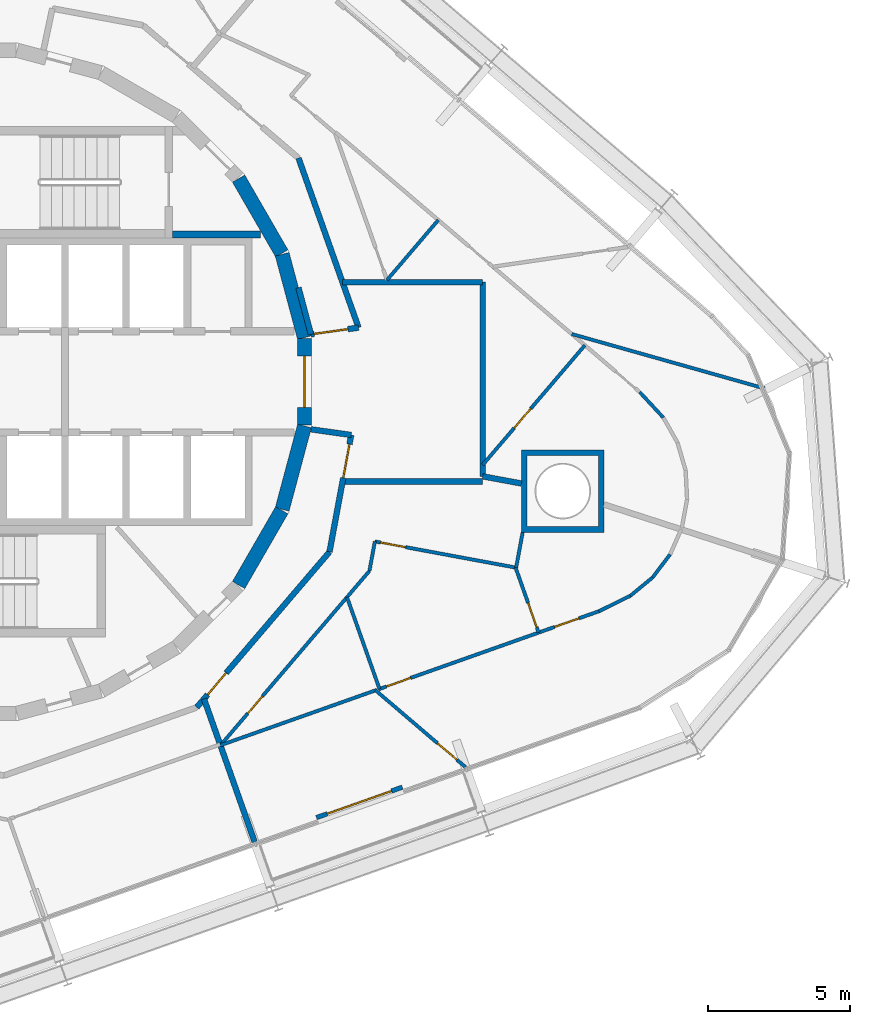
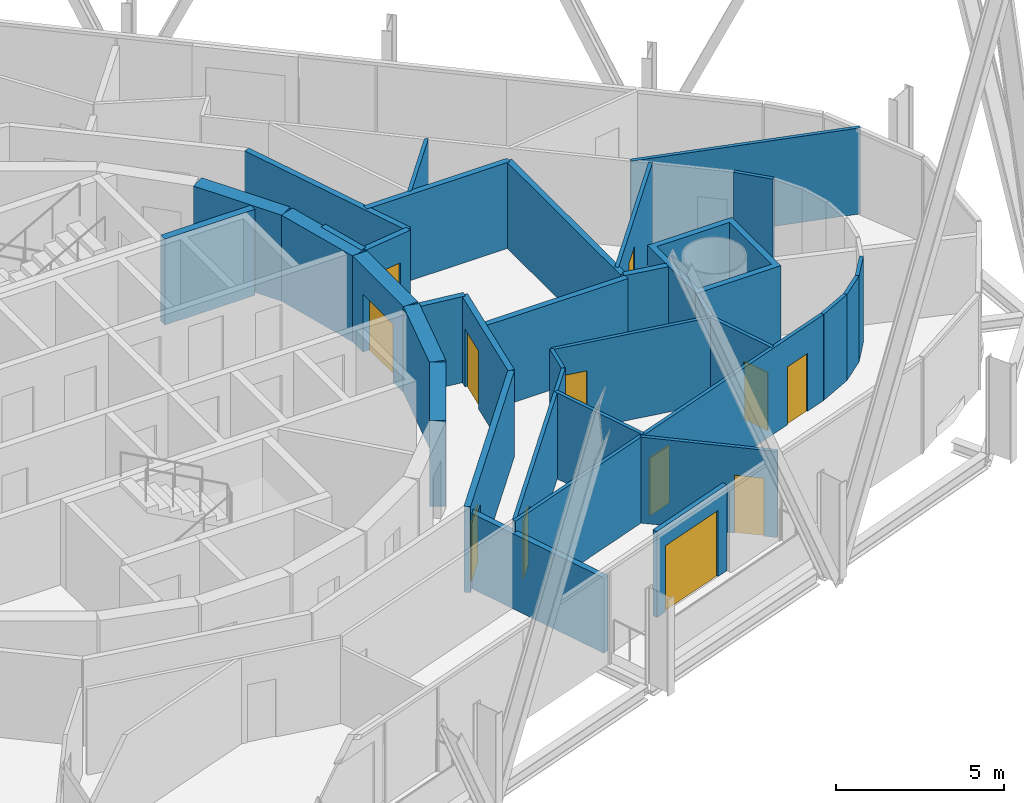
# One storey, part 13 of 17: 35 walls, 12 doors, 12 openings.
"""IFC4 building model written with IfcOpenShell, lengths in metres."""

import ifcopenshell
import ifcopenshell.guid

model = None  # the IFC model being written
_history = None  # IfcOwnerHistory: only IFC2X3 demands one
_inside = {}  # id of a spatial element -> (the spatial element, [elements in it])
_under = {}  # id of a project, library or spatial element -> (it, [spatial elements below it])
_declared = {}  # id of a project -> (the project, [libraries it declares])
_typed = {}  # id of a type object -> (the type object, [elements of that type])
_made_of = {}  # id of a material, layer set ... -> (it, [elements and type objects made of it])


def new_model(schema):
    """Start an empty IFC model of exactly this schema.

    Asked for "IFC4X3", IfcOpenShell would pick the latest addendum, in which some entities
    have other attributes; the version numbers below select the first issue.
    IFC2X3 requires an IfcOwnerHistory on every rooted entity: one is made here for all.
    """
    global model, _history
    if schema == "IFC4X3":
        model = ifcopenshell.file(schema_version=(4, 3, 0, 0))
    else:
        model = ifcopenshell.file(schema=schema)
    _inside.clear()
    _under.clear()
    _declared.clear()
    _typed.clear()
    _made_of.clear()
    _history = None
    if model.schema == "IFC2X3":
        org = make("IfcOrganization", Name="unknown")
        user = make(
            "IfcPersonAndOrganization",
            ThePerson=make("IfcPerson", FamilyName="unknown"),
            TheOrganization=org,
        )
        app = make(
            "IfcApplication",
            ApplicationDeveloper=org,
            Version="unknown",
            ApplicationFullName="unknown",
            ApplicationIdentifier="unknown",
        )
        _history = make(
            "IfcOwnerHistory",
            OwningUser=user,
            OwningApplication=app,
            ChangeAction="ADDED",
            CreationDate=0,
        )
    return model


def make(cls, **values):
    """One entity of the class cls with the attributes given. An attribute that is None is left unset."""
    return model.create_entity(
        cls, **{name: value for name, value in values.items() if value is not None}
    )


def rooted(cls, **values):
    """An entity with a GlobalId (a new one), such as an element, a storey or a relation."""
    return make(cls, GlobalId=ifcopenshell.guid.new(), OwnerHistory=_history, **values)


def si_unit(unit_type, name, prefix=None):
    """IfcSIUnit, for example si_unit("LENGTHUNIT", "METRE", prefix="MILLI")."""
    return make("IfcSIUnit", UnitType=unit_type, Prefix=prefix, Name=name)


def assignment(units):
    """IfcUnitAssignment: the units of a project."""
    return None if units is None else make("IfcUnitAssignment", Units=units)


def point(xyz):
    """IfcCartesianPoint."""
    return None if xyz is None else make("IfcCartesianPoint", Coordinates=xyz)


def direction(xyz):
    """IfcDirection."""
    return None if xyz is None else make("IfcDirection", DirectionRatios=xyz)


def frame(location, z_axis=None, x_axis=None):
    """IfcAxis2Placement3D, a coordinate frame: its origin and axes. An axis left out is left unset."""
    return make(
        "IfcAxis2Placement3D",
        Location=point(location),
        Axis=direction(z_axis),
        RefDirection=direction(x_axis),
    )


def frame_2d(location, x_axis=None):
    """IfcAxis2Placement2D, a coordinate frame in the plane: its origin and x axis."""
    return make(
        "IfcAxis2Placement2D", Location=point(location), RefDirection=direction(x_axis)
    )


def origin():
    """The frame at (0, 0, 0) with its axes left unset."""
    return frame((0.0, 0.0, 0.0))


def place(relative_to, where):
    """IfcLocalPlacement: puts the frame where relative to a parent placement (None: the world)."""
    return make(
        "IfcLocalPlacement", PlacementRelTo=relative_to, RelativePlacement=where
    )


def context(
    kind, dimensions, precision=None, world=None, true_north=None, identifier=None
):
    """IfcGeometricRepresentationContext, for example the 3D "Model" context."""
    return make(
        "IfcGeometricRepresentationContext",
        ContextIdentifier=identifier,
        ContextType=kind,
        CoordinateSpaceDimension=dimensions,
        Precision=precision,
        WorldCoordinateSystem=world,
        TrueNorth=true_north,
    )


def subcontext(parent, identifier, kind, view, scale=None):
    """IfcGeometricRepresentationSubContext, for example "Body" below "Model"."""
    return make(
        "IfcGeometricRepresentationSubContext",
        ContextIdentifier=identifier,
        ContextType=kind,
        ParentContext=parent,
        TargetScale=scale,
        TargetView=view,
    )


def project(units=None, contexts=None):
    """IfcProject with its units and contexts."""
    return rooted(
        "IfcProject",
        Name="project",
        RepresentationContexts=contexts,
        UnitsInContext=assignment(units),
    )


def spatial(cls, under=None, at=None, **own):
    """A site, building, storey or space (cls), placed at a placement, below another one or the project."""
    s = rooted(cls, ObjectPlacement=at, **own)
    if under is not None:
        _under.setdefault(under.id(), (under, []))[1].append(s)
    return s


def polyline(points):
    """IfcPolyline through the points."""
    return make("IfcPolyline", Points=[point(p) for p in points])


def profile(cls, at=None, kind="AREA", **sizes):
    """A parametric profile (cls). Its sizes go by their IFC names, for example OverallWidth=200.0."""
    return make(cls, ProfileType=kind, Position=at, **sizes)


def rectangle(**sizes):
    """IfcRectangleProfileDef."""
    return profile("IfcRectangleProfileDef", **sizes)


def outline(outer, holes=None, kind="AREA"):
    """IfcArbitraryClosedProfileDef: a profile drawn as a closed curve; with holes, ...WithVoids."""
    if holes is None:
        return make("IfcArbitraryClosedProfileDef", ProfileType=kind, OuterCurve=outer)
    return make(
        "IfcArbitraryProfileDefWithVoids",
        ProfileType=kind,
        OuterCurve=outer,
        InnerCurves=holes,
    )


def extrude(swept, where, along, depth):
    """IfcExtrudedAreaSolid: the profile swept, set in the frame where, extruded along a direction by depth."""
    return make(
        "IfcExtrudedAreaSolid",
        SweptArea=swept,
        Position=where,
        ExtrudedDirection=direction(along),
        Depth=depth,
    )


def shape(context_of_items, identifier, shape_type, items):
    """IfcShapeRepresentation: the items that make up one representation, for example the "Body"."""
    return make(
        "IfcShapeRepresentation",
        ContextOfItems=context_of_items,
        RepresentationIdentifier=identifier,
        RepresentationType=shape_type,
        Items=items,
    )


def material(Name=None, Category=None):
    """IfcMaterial."""
    return make("IfcMaterial", Name=Name, Category=Category)


def layer(
    of_material, thickness, ventilated=None, Name=None, Category=None, Priority=None
):
    """IfcMaterialLayer: one layer of a wall or slab, of a material (None: an air gap)."""
    return make(
        "IfcMaterialLayer",
        Material=of_material,
        LayerThickness=thickness,
        IsVentilated=ventilated,
        Name=Name,
        Category=Category,
        Priority=Priority,
    )


def layer_set(layers, Name=None):
    """IfcMaterialLayerSet."""
    return make("IfcMaterialLayerSet", MaterialLayers=layers, LayerSetName=Name)


def made_of(thing, what):
    """Note that an element or type object is made of a material, layer set ...; save() writes the relation."""
    if what is not None:
        _made_of.setdefault(what.id(), (what, []))[1].append(thing)
    return thing


def type_object(cls, material=None, **own):
    """A type object (cls), such as IfcWallType, which elements share."""
    return made_of(rooted(cls, **own), material)


def element(
    cls,
    number,
    at=None,
    inside=None,
    cuts=None,
    type_object=None,
    material=None,
    context=None,
    identifier="Body",
    shape_type=None,
    held_by="IfcProductDefinitionShape",
    body=None,
    shapes=None,
    **own,
):
    """One element of the class cls, such as IfcWall. Its Tag is "e" and its number.

    at: its placement. inside: the storey or other place that contains it. cuts: it is an
    opening in that element (IfcRelVoidsElement). A single representation is given by context,
    identifier, shape_type and body (its items); several are given by shapes. held_by: the class
    of the entity that holds the representations. save() writes the other relations.
    """
    e = rooted(cls, Tag="e%d" % number, ObjectPlacement=at, **own)
    if body is not None:
        shapes = [shape(context, identifier, shape_type, body)]
    if shapes is not None:
        e.Representation = make(held_by, Representations=shapes)
    if inside is not None:
        _inside.setdefault(inside.id(), (inside, []))[1].append(e)
    if cuts is not None:
        rooted(
            "IfcRelVoidsElement", RelatingBuildingElement=cuts, RelatedOpeningElement=e
        )
    if type_object is not None:
        _typed.setdefault(type_object.id(), (type_object, []))[1].append(e)
    return made_of(e, material)


def fill(opening, filler):
    """IfcRelFillsElement: the door or window that sits in an opening."""
    return rooted(
        "IfcRelFillsElement",
        RelatingOpeningElement=opening,
        RelatedBuildingElement=filler,
    )


def aggregate(whole, parts):
    """IfcRelAggregates: a whole, such as a stair, and the parts it consists of."""
    return rooted("IfcRelAggregates", RelatingObject=whole, RelatedObjects=parts)


def save(model, path):
    """Write the relations noted so far, then the file.

    IfcRelAggregates (storeys below a building ...), IfcRelContainedInSpatialStructure (elements
    in a storey), IfcRelDefinesByType, IfcRelAssociatesMaterial and IfcRelDeclares: one each for
    every whole, place, type object, material and project.
    """
    for whole, parts in _under.values():
        aggregate(whole, parts)
    for where, things in _inside.values():
        rooted(
            "IfcRelContainedInSpatialStructure",
            RelatedElements=things,
            RelatingStructure=where,
        )
    for kind, things in _typed.values():
        rooted("IfcRelDefinesByType", RelatedObjects=things, RelatingType=kind)
    for what, things in _made_of.values():
        rooted("IfcRelAssociatesMaterial", RelatedObjects=things, RelatingMaterial=what)
    for by, libraries in _declared.values():
        rooted("IfcRelDeclares", RelatingContext=by, RelatedDefinitions=libraries)
    model.write(path)


model = new_model("IFC4")

# Units and contexts
model_context = context("Model", 3, precision=1e-05, world=origin(), true_north=direction((0.0, 1.0)))
body_context = subcontext(model_context, "Body", "Model", "MODEL_VIEW")
ifc_project = project(units=[si_unit("LENGTHUNIT", "METRE"), si_unit("AREAUNIT", "SQUARE_METRE"), si_unit("VOLUMEUNIT", "CUBIC_METRE"), si_unit("PLANEANGLEUNIT", "RADIAN"), si_unit("MASSUNIT", "GRAM", prefix="KILO")], contexts=[model_context])

# Site, building, storey
site_placement = place(None, origin())
site = spatial("IfcSite", under=ifc_project, at=site_placement, CompositionType="ELEMENT")
building_placement = place(site_placement, origin())
building = spatial("IfcBuilding", under=site, at=building_placement, Name="Spindle Arch Residences", CompositionType="ELEMENT")
storey_placement = place(building_placement, frame((0.0, 0.0, 165.699951171875)))
storey = spatial("IfcBuildingStorey", under=building, at=storey_placement, Name="L41", CompositionType="ELEMENT", Elevation=165.699951171875)

# Walls
ifc_material_1 = material(Name="Concrete C50/60", Category="concrete")
ifc_layer_1 = layer(ifc_material_1, 0.5)
ifc_layer_set_1 = layer_set([ifc_layer_1], Name="Core outline wall 500")
wall_type_1 = type_object("IfcWallType", Name="Core outline wall 500", PredefinedType="SHEAR", material=ifc_layer_set_1)
for number, where, z_axis, x_axis, name in (
    (1, (9.32861328125, -7.13671875, 0.0), (0.0, 0.0, 1.0), (0.500087131594, 0.865975092491, 0.0), "Core outline wall 4"),
    (2, (10.858154296875, -4.479248046875, 0.0), (0.0, 0.0, 1.0), (0.258734743916, 0.965948410781, 0.0), "Core outline wall 5"),
):
    element("IfcWall", number, at=place(storey_placement, frame(where, z_axis=z_axis, x_axis=x_axis)), inside=storey, type_object=wall_type_1, Name=name, PredefinedType="SHEAR", context=body_context, shape_type="SweptSolid", body=[
        extrude(rectangle(XDim=3.03271484375, YDim=0.5, at=frame_2d((1.516357421875, 0.0))), origin(), (0.0, 0.0, 1.0), 3.1201171875),
    ])

# Wall, opening, door
wall_1_placement = place(storey_placement, frame((11.647216796875, -1.516357421875, 0.0), z_axis=(0.0, 0.0, 1.0), x_axis=(0.0, 1.0, 0.0)))
wall_1 = element("IfcWall", 3, at=wall_1_placement, inside=storey, type_object=wall_type_1, Name="Core outline wall 6", PredefinedType="SHEAR", context=body_context, shape_type="SweptSolid", body=[
    extrude(rectangle(XDim=3.03271484375, YDim=0.5, at=frame_2d((1.516357421875, 0.0))), origin(), (0.0, 0.0, 1.0), 3.1201171875),
])
opening_1_placement = place(wall_1_placement, frame((0.6162109375, 0.0, 0.0)))
opening_1 = element("IfcOpeningElement", 4, at=opening_1_placement, cuts=wall_1, Name="Opening R4B0-FE01", PredefinedType="OPENING", context=body_context, shape_type="SweptSolid", body=[
    extrude(rectangle(XDim=1.800048828125, YDim=2.10009765625, at=frame_2d((0.89990234375, 1.050048828125))), frame((0.0, 0.260009765625, 0.0), z_axis=(0.0, -1.0, 0.0), x_axis=(1.0, 0.0, 0.0)), (0.0, 0.0, 1.0), 0.52001953125),
])
ifc_material_2 = material(Name="Steel, fire-resisting door", Category="steel")
door_type_1 = type_object("IfcDoorType", Name="Fire-lift lobby door 1800x2100", OperationType="DOUBLE_DOOR_SINGLE_SWING", PredefinedType="DOOR", material=ifc_material_2)
door_1_placement = place(opening_1_placement, origin())
door_1 = element("IfcDoor", 5, at=door_1_placement, inside=storey, type_object=door_type_1, Name="Fire-lift lobby door R4B0-FE01", OperationType="DOUBLE_DOOR_SINGLE_SWING", OverallHeight=2.10009765625, OverallWidth=1.800048828125, PredefinedType="DOOR", context=body_context, shape_type="SweptSolid", body=[
    extrude(rectangle(XDim=1.800048828125, YDim=2.10009765625, at=frame_2d((0.89990234375, 1.050048828125))), frame((0.0, 0.02490234375, 0.0), z_axis=(0.0, -1.0, 0.0), x_axis=(1.0, 0.0, 0.0)), (0.0, 0.0, 1.0), 0.050048828125),
])
fill(opening_1, door_1)

# Walls
for number, where, z_axis, x_axis, name in (
    (6, (11.642822265625, 1.5498046875, 0.0), (0.0, 0.0, 1.0), (-0.258734743916, 0.965948410781, 0.0), "Core outline wall 7"),
    (7, (10.84521484375, 4.510498046875, 0.0), (0.0, 0.0, 1.0), (-0.500087131594, 0.865975092491, 0.0), "Core outline wall 8"),
):
    element("IfcWall", number, at=place(storey_placement, frame(where, z_axis=z_axis, x_axis=x_axis)), inside=storey, type_object=wall_type_1, Name=name, PredefinedType="SHEAR", context=body_context, shape_type="SweptSolid", body=[
        extrude(rectangle(XDim=3.03271484375, YDim=0.5, at=frame_2d((1.516357421875, 0.0))), origin(), (0.0, 0.0, 1.0), 3.1201171875),
    ])

# Wall, opening, door
ifc_material_3 = material(Name="Calcium silicate block, plastered")
ifc_layer_2 = layer(ifc_material_3, 0.199951171875)
ifc_layer_set_2 = layer_set([ifc_layer_2], Name="Corridor wall 200")
wall_type_2 = type_object("IfcWallType", Name="Corridor wall 200", PredefinedType="STANDARD", material=ifc_layer_set_2)
wall_2_placement = place(storey_placement, frame((7.857666015625, -11.432861328125, 0.0), z_axis=(0.0, 0.0, 1.0), x_axis=(0.649440801937, 0.760412154545, 0.0)))
wall_2 = element("IfcWall", 8, at=wall_2_placement, inside=storey, type_object=wall_type_2, Name="Corridor wall R4B0-W020", PredefinedType="STANDARD", context=body_context, shape_type="SweptSolid", body=[
    extrude(rectangle(XDim=7.180908203125, YDim=0.199951171875, at=frame_2d((3.59033203125, 0.0))), origin(), (0.0, 0.0, 1.0), 3.1201171875),
])
opening_2_placement = place(wall_2_placement, frame((0.592041015625, 0.0, 0.0)))
opening_2 = element("IfcOpeningElement", 9, at=opening_2_placement, cuts=wall_2, Name="Opening R4B0-FD06", PredefinedType="OPENING", context=body_context, shape_type="SweptSolid", body=[
    extrude(rectangle(XDim=1.0, YDim=2.10009765625, at=frame_2d((0.5, 1.050048828125))), frame((0.0, 0.10986328125, 0.0), z_axis=(0.0, -1.0, 0.0), x_axis=(1.0, 0.0, 0.0)), (0.0, 0.0, 1.0), 0.219970703125),
])
ifc_material_4 = material(Name="Timber, fire-resisting door set", Category="wood")
door_type_2 = type_object("IfcDoorType", Name="Flat entrance door 1000x2100", OperationType="NOTDEFINED", PredefinedType="DOOR", material=ifc_material_4)
door_2_placement = place(opening_2_placement, origin())
door_2 = element("IfcDoor", 10, at=door_2_placement, inside=storey, type_object=door_type_2, Name="Flat entrance door R4B0-FD06", OperationType="SINGLE_SWING_RIGHT", OverallHeight=2.10009765625, OverallWidth=1.0, PredefinedType="DOOR", context=body_context, shape_type="SweptSolid", body=[
    extrude(rectangle(XDim=1.0, YDim=2.10009765625, at=frame_2d((0.5, 1.050048828125))), frame((0.0, 0.02490234375, 0.0), z_axis=(0.0, -1.0, 0.0), x_axis=(1.0, 0.0, 0.0)), (0.0, 0.0, 1.0), 0.050048828125),
])
fill(opening_2, door_2)

# Wall
ifc_material_5 = material(Name="Calcium silicate block, plastered")
ifc_layer_3 = layer(ifc_material_5, 0.199951171875)
ifc_layer_set_3 = layer_set([ifc_layer_3], Name="Fire-lift lobby bay wall 200")
wall_type_3 = type_object("IfcWallType", Name="Fire-lift lobby bay wall 200", PredefinedType="STANDARD", material=ifc_layer_set_3)
wall_3_placement = place(storey_placement, frame((11.8701171875, 1.668212890625, 0.0), z_axis=(0.0, 0.0, 1.0), x_axis=(-0.258836880648, 0.965921047093, 0.0)))
element("IfcWall", 11, at=wall_3_placement, inside=storey, type_object=wall_type_3, Name="Fire-lift lobby bay wall R4B0-W001", PredefinedType="STANDARD", context=body_context, shape_type="SweptSolid", body=[
    extrude(rectangle(XDim=1.695068359375, YDim=0.199951171875, at=frame_2d((0.84765625, 0.0))), origin(), (0.0, 0.0, 1.0), 3.1201171875),
])

# Wall, opening, door
wall_4_placement = place(storey_placement, frame((11.8701171875, 1.668212890625, 0.0), z_axis=(0.0, 0.0, 1.0), x_axis=(0.990270910415, 0.139152879904, 0.0)))
wall_4 = element("IfcWall", 12, at=wall_4_placement, inside=storey, type_object=wall_type_3, Name="Fire-lift lobby bay wall R4B0-W002", PredefinedType="STANDARD", context=body_context, shape_type="SweptSolid", body=[
    extrude(rectangle(XDim=1.687744140625, YDim=0.199951171875, at=frame_2d((0.84375, 0.0))), origin(), (0.0, 0.0, 1.0), 3.1201171875),
])
opening_3_placement = place(wall_4_placement, frame((0.110107421875, 0.0, 0.0)))
opening_3 = element("IfcOpeningElement", 13, at=opening_3_placement, cuts=wall_4, Name="Opening R4B0-CD01", PredefinedType="OPENING", context=body_context, shape_type="SweptSolid", body=[
    extrude(rectangle(XDim=1.199951171875, YDim=2.10009765625, at=frame_2d((0.60009765625, 1.050048828125))), frame((0.0, 0.10986328125, 0.0), z_axis=(0.0, -1.0, 0.0), x_axis=(1.0, 0.0, 0.0)), (0.0, 0.0, 1.0), 0.219970703125),
])
ifc_material_6 = material(Name="Steel, fire-resisting door", Category="steel")
door_type_3 = type_object("IfcDoorType", Name="Corridor division door 1200x2100", OperationType="NOTDEFINED", PredefinedType="DOOR", material=ifc_material_6)
door_3_placement = place(opening_3_placement, origin())
door_3 = element("IfcDoor", 14, at=door_3_placement, inside=storey, type_object=door_type_3, Name="Corridor division door R4B0-CD01", OperationType="DOUBLE_DOOR_SINGLE_SWING", OverallHeight=2.10009765625, OverallWidth=1.199951171875, PredefinedType="DOOR", context=body_context, shape_type="SweptSolid", body=[
    extrude(rectangle(XDim=1.199951171875, YDim=2.10009765625, at=frame_2d((0.60009765625, 1.050048828125))), frame((0.0, 0.02490234375, 0.0), z_axis=(0.0, -1.0, 0.0), x_axis=(1.0, 0.0, 0.0)), (0.0, 0.0, 1.0), 0.050048828125),
])
fill(opening_3, door_3)

# Wall
wall_5_placement = place(storey_placement, frame((13.54150390625, 1.903076171875, 0.0), z_axis=(0.0, 0.0, 1.0), x_axis=(-0.333808508206, 0.942640907159, 0.0)))
element("IfcWall", 15, at=wall_5_placement, inside=storey, type_object=wall_type_3, Name="Fire-lift lobby bay wall R4B0-W003", PredefinedType="STANDARD", context=body_context, shape_type="SweptSolid", body=[
    extrude(rectangle(XDim=6.31689453125, YDim=0.199951171875, at=frame_2d((3.158447265625, 0.0))), origin(), (0.0, 0.0, 1.0), 3.1201171875),
])

# Wall, opening, door
wall_6_placement = place(storey_placement, frame((12.521240234375, -5.972412109375, 0.0), z_axis=(0.0, 0.0, 1.0), x_axis=(0.182244189886, 0.983253301674, 0.0)))
wall_6 = element("IfcWall", 16, at=wall_6_placement, inside=storey, type_object=wall_type_3, Name="Fire-lift lobby bay wall R4B0-W012", PredefinedType="STANDARD", context=body_context, shape_type="SweptSolid", body=[
    extrude(rectangle(XDim=4.175537109375, YDim=0.199951171875, at=frame_2d((2.087890625, 0.0))), origin(), (0.0, 0.0, 1.0), 3.1201171875),
])
opening_4_placement = place(wall_6_placement, frame((2.64453125, 0.0, 0.0)))
opening_4 = element("IfcOpeningElement", 17, at=opening_4_placement, cuts=wall_6, Name="Opening R4B0-CD02", PredefinedType="OPENING", context=body_context, shape_type="SweptSolid", body=[
    extrude(rectangle(XDim=1.199951171875, YDim=2.10009765625, at=frame_2d((0.60009765625, 1.050048828125))), frame((0.0, 0.10986328125, 0.0), z_axis=(0.0, -1.0, 0.0), x_axis=(1.0, 0.0, 0.0)), (0.0, 0.0, 1.0), 0.219970703125),
])
door_4_placement = place(opening_4_placement, origin())
door_4 = element("IfcDoor", 18, at=door_4_placement, inside=storey, type_object=door_type_3, Name="Corridor division door R4B0-CD02", OperationType="DOUBLE_DOOR_SINGLE_SWING", OverallHeight=2.10009765625, OverallWidth=1.199951171875, PredefinedType="DOOR", context=body_context, shape_type="SweptSolid", body=[
    extrude(rectangle(XDim=1.199951171875, YDim=2.10009765625, at=frame_2d((0.60009765625, 1.050048828125))), frame((0.0, 0.02490234375, 0.0), z_axis=(0.0, -1.0, 0.0), x_axis=(1.0, 0.0, 0.0)), (0.0, 0.0, 1.0), 0.050048828125),
])
fill(opening_4, door_4)

# Walls
wall_7_placement = place(storey_placement, frame((13.2822265625, -1.86669921875, 0.0), z_axis=(0.0, 0.0, 1.0), x_axis=(-0.990265430288, 0.139191873241, 0.0)))
element("IfcWall", 19, at=wall_7_placement, inside=storey, type_object=wall_type_3, Name="Fire-lift lobby bay wall R4B0-W013", PredefinedType="STANDARD", context=body_context, shape_type="SweptSolid", body=[
    extrude(rectangle(XDim=1.426025390625, YDim=0.199951171875, at=frame_2d((0.712890625, 0.0))), origin(), (0.0, 0.0, 1.0), 3.1201171875),
])
wall_8_placement = place(storey_placement, frame((17.89990234375, 3.5, 0.0), z_axis=(0.0, 0.0, 1.0), x_axis=(-1.0, 0.0, 0.0)))
element("IfcWall", 20, at=wall_8_placement, inside=storey, type_object=wall_type_3, Name="Fire-lift lobby bay wall R4B0-W025", PredefinedType="STANDARD", context=body_context, shape_type="SweptSolid", body=[
    extrude(rectangle(XDim=4.923828125, YDim=0.199951171875, at=frame_2d((2.4619140625, 0.0))), origin(), (0.0, 0.0, 1.0), 3.1201171875),
])
wall_9_placement = place(storey_placement, frame((17.89990234375, -3.317626953125, 0.0), z_axis=(0.0, 0.0, 1.0), x_axis=(0.0, 1.0, 0.0)))
element("IfcWall", 21, at=wall_9_placement, inside=storey, type_object=wall_type_3, Name="Fire-lift lobby bay wall R4B0-W026", PredefinedType="STANDARD", context=body_context, shape_type="SweptSolid", body=[
    extrude(rectangle(XDim=6.817626953125, YDim=0.199951171875, at=frame_2d((3.40869140625, 0.0))), origin(), (0.0, 0.0, 1.0), 3.1201171875),
])
wall_10_placement = place(storey_placement, frame((12.9794921875, -3.5, 0.0), z_axis=(0.0, 0.0, 1.0), x_axis=(1.0, 0.0, 0.0)))
element("IfcWall", 22, at=wall_10_placement, inside=storey, type_object=wall_type_3, Name="Fire-lift lobby bay wall R4B0-W027", PredefinedType="STANDARD", context=body_context, shape_type="SweptSolid", body=[
    extrude(rectangle(XDim=4.92041015625, YDim=0.199951171875, at=frame_2d((2.460205078125, 0.0))), origin(), (0.0, 0.0, 1.0), 3.1201171875),
])
ifc_material_7 = material(Name="Plasterboard on steel studs", Category="steel")
ifc_layer_4 = layer(ifc_material_7, 0.1201171875)
ifc_layer_set_4 = layer_set([ifc_layer_4], Name="Flat partition 120")
wall_type_4 = type_object("IfcWallType", Name="Flat partition 120", PredefinedType="PARTITIONING", material=ifc_layer_set_4)
wall_11_placement = place(storey_placement, frame((16.340576171875, 5.681884765625, 0.0), z_axis=(0.0, 0.0, 1.0), x_axis=(-0.64946993237, -0.76038727432, 0.0)))
element("IfcWall", 23, at=wall_11_placement, inside=storey, type_object=wall_type_4, Name="Flat partition R4B0-W044", PredefinedType="PARTITIONING", context=body_context, shape_type="SweptSolid", body=[
    extrude(rectangle(XDim=2.771240234375, YDim=0.1201171875, at=frame_2d((1.3857421875, 0.0))), origin(), (0.0, 0.0, 1.0), 3.1201171875),
])

# Wall, opening, door
wall_12_placement = place(storey_placement, frame((17.89990234375, -2.91845703125, 0.0), z_axis=(0.0, 0.0, 1.0), x_axis=(0.649469887983, 0.760387312232, 0.0)))
wall_12 = element("IfcWall", 24, at=wall_12_placement, inside=storey, type_object=wall_type_4, Name="Flat partition R4B0-W045", PredefinedType="PARTITIONING", context=body_context, shape_type="SweptSolid", body=[
    extrude(rectangle(XDim=5.52685546875, YDim=0.1201171875, at=frame_2d((2.763427734375, 0.0))), origin(), (0.0, 0.0, 1.0), 3.1201171875),
])
opening_5_placement = place(wall_12_placement, frame((1.699951171875, 0.0, 0.0)))
opening_5 = element("IfcOpeningElement", 25, at=opening_5_placement, cuts=wall_12, Name="Opening R4B0-ID04", PredefinedType="OPENING", context=body_context, shape_type="SweptSolid", body=[
    extrude(rectangle(XDim=0.89990234375, YDim=2.10009765625, at=frame_2d((0.449951171875, 1.050048828125))), frame((0.0, 0.070068359375, 0.0), z_axis=(0.0, -1.0, 0.0), x_axis=(1.0, 0.0, 0.0)), (0.0, 0.0, 1.0), 0.14013671875),
])
ifc_material_8 = material(Name="Timber door set", Category="wood")
door_type_4 = type_object("IfcDoorType", Name="Room door 900x2100", OperationType="NOTDEFINED", PredefinedType="DOOR", material=ifc_material_8)
door_5_placement = place(opening_5_placement, origin())
door_5 = element("IfcDoor", 26, at=door_5_placement, inside=storey, type_object=door_type_4, Name="Room door R4B0-ID04", OperationType="SINGLE_SWING_LEFT", OverallHeight=2.10009765625, OverallWidth=0.89990234375, PredefinedType="DOOR", context=body_context, shape_type="SweptSolid", body=[
    extrude(rectangle(XDim=0.89990234375, YDim=2.10009765625, at=frame_2d((0.449951171875, 1.050048828125))), frame((0.0, 0.02490234375, 0.0), z_axis=(0.0, -1.0, 0.0), x_axis=(1.0, 0.0, 0.0)), (0.0, 0.0, 1.0), 0.050048828125),
])
fill(opening_5, door_5)

# Walls
wall_13_placement = place(storey_placement, frame((21.029052734375, 1.677490234375, 0.0), z_axis=(0.0, 0.0, 1.0), x_axis=(0.962458274539, -0.271429677396, 0.0)))
element("IfcWall", 27, at=wall_13_placement, inside=storey, type_object=wall_type_4, Name="Flat partition R4B0-W047", PredefinedType="PARTITIONING", context=body_context, shape_type="SweptSolid", body=[
    extrude(rectangle(XDim=7.037353515625, YDim=0.1201171875, at=frame_2d((3.5185546875, 0.0))), origin(), (0.0, 0.0, 1.0), 3.1201171875),
])
wall_14_placement = place(storey_placement, frame((24.24560546875, -1.2568359375, 0.0), z_axis=(0.0, 0.0, 1.0), x_axis=(-0.679840361176, 0.733360132074, 0.0)))
element("IfcWall", 28, at=wall_14_placement, inside=storey, type_object=wall_type_4, Name="Flat partition R4B0-W052", PredefinedType="PARTITIONING", context=body_context, shape_type="SweptSolid", body=[
    extrude(rectangle(XDim=1.22705078125, YDim=0.1201171875, at=frame_2d((0.613525390625, 0.0))), origin(), (0.0, 0.0, 1.0), 3.1201171875),
])

# Wall, opening, door
wall_15_placement = place(storey_placement, frame((8.7373046875, -12.712646484375, 0.0), z_axis=(0.0, 0.0, 1.0), x_axis=(0.649430604754, 0.760420863476, 0.0)))
wall_15 = element("IfcWall", 29, at=wall_15_placement, inside=storey, type_object=wall_type_4, Name="Flat partition R4B0-W112", PredefinedType="PARTITIONING", context=body_context, shape_type="SweptSolid", body=[
    extrude(rectangle(XDim=7.98486328125, YDim=0.1201171875, at=frame_2d((3.992431640625, 0.0))), origin(), (0.0, 0.0, 1.0), 3.1201171875),
])
opening_6_placement = place(wall_15_placement, frame((1.39990234375, 0.0, 0.0)))
opening_6 = element("IfcOpeningElement", 30, at=opening_6_placement, cuts=wall_15, Name="Opening R4B0-BD06", PredefinedType="OPENING", context=body_context, shape_type="SweptSolid", body=[
    extrude(rectangle(XDim=0.800048828125, YDim=2.10009765625, at=frame_2d((0.39990234375, 1.050048828125))), frame((0.0, 0.070068359375, 0.0), z_axis=(0.0, -1.0, 0.0), x_axis=(1.0, 0.0, 0.0)), (0.0, 0.0, 1.0), 0.14013671875),
])
ifc_material_9 = material(Name="Timber door set", Category="wood")
door_type_5 = type_object("IfcDoorType", Name="Bathroom door 800x2100", OperationType="NOTDEFINED", PredefinedType="DOOR", material=ifc_material_9)
door_6_placement = place(opening_6_placement, origin())
door_6 = element("IfcDoor", 31, at=door_6_placement, inside=storey, type_object=door_type_5, Name="Bathroom door R4B0-BD06", OperationType="SINGLE_SWING_RIGHT", OverallHeight=2.10009765625, OverallWidth=0.800048828125, PredefinedType="DOOR", context=body_context, shape_type="SweptSolid", body=[
    extrude(rectangle(XDim=0.800048828125, YDim=2.10009765625, at=frame_2d((0.39990234375, 1.050048828125))), frame((0.0, 0.02490234375, 0.0), z_axis=(0.0, -1.0, 0.0), x_axis=(1.0, 0.0, 0.0)), (0.0, 0.0, 1.0), 0.050048828125),
])
fill(opening_6, door_6)

# Wall
wall_16_placement = place(storey_placement, frame((13.9228515625, -6.640869140625, 0.0), z_axis=(0.0, 0.0, 1.0), x_axis=(0.182396711264, 0.983225019881, 0.0)))
element("IfcWall", 32, at=wall_16_placement, inside=storey, type_object=wall_type_4, Name="Flat partition R4B0-W113", PredefinedType="PARTITIONING", context=body_context, shape_type="SweptSolid", body=[
    extrude(rectangle(XDim=1.052001953125, YDim=0.1201171875, at=frame_2d((0.52587890625, 0.0))), origin(), (0.0, 0.0, 1.0), 3.1201171875),
])

# Wall, opening, door
wall_17_placement = place(storey_placement, frame((14.11474609375, -5.6064453125, 0.0), z_axis=(0.0, 0.0, 1.0), x_axis=(0.983252350103, -0.182249323775, 0.0)))
wall_17 = element("IfcWall", 33, at=wall_17_placement, inside=storey, type_object=wall_type_4, Name="Flat partition R4B0-W114", PredefinedType="PARTITIONING", context=body_context, shape_type="SweptSolid", body=[
    extrude(rectangle(XDim=5.02490234375, YDim=0.1201171875, at=frame_2d((2.512451171875, 0.0))), origin(), (0.0, 0.0, 1.0), 3.1201171875),
])
opening_7_placement = place(wall_17_placement, frame((0.199951171875, 0.0, 0.0)))
opening_7 = element("IfcOpeningElement", 34, at=opening_7_placement, cuts=wall_17, Name="Opening R4B0-ID26", PredefinedType="OPENING", context=body_context, shape_type="SweptSolid", body=[
    extrude(rectangle(XDim=0.89990234375, YDim=2.10009765625, at=frame_2d((0.449951171875, 1.050048828125))), frame((0.0, 0.070068359375, 0.0), z_axis=(0.0, -1.0, 0.0), x_axis=(1.0, 0.0, 0.0)), (0.0, 0.0, 1.0), 0.14013671875),
])
door_7_placement = place(opening_7_placement, origin())
door_7 = element("IfcDoor", 35, at=door_7_placement, inside=storey, type_object=door_type_4, Name="Room door R4B0-ID26", OperationType="SINGLE_SWING_RIGHT", OverallHeight=2.10009765625, OverallWidth=0.89990234375, PredefinedType="DOOR", context=body_context, shape_type="SweptSolid", body=[
    extrude(rectangle(XDim=0.89990234375, YDim=2.10009765625, at=frame_2d((0.449951171875, 1.050048828125))), frame((0.0, 0.02490234375, 0.0), z_axis=(0.0, -1.0, 0.0), x_axis=(1.0, 0.0, 0.0)), (0.0, 0.0, 1.0), 0.050048828125),
])
fill(opening_7, door_7)

# Walls
wall_18_placement = place(storey_placement, frame((19.074951171875, -6.525634765625, 0.0), z_axis=(0.0, 0.0, 1.0), x_axis=(0.182283897093, 0.983245941187, 0.0)))
element("IfcWall", 36, at=wall_18_placement, inside=storey, type_object=wall_type_4, Name="Flat partition R4B0-W115", PredefinedType="PARTITIONING", context=body_context, shape_type="SweptSolid", body=[
    extrude(rectangle(XDim=1.257568359375, YDim=0.1201171875, at=frame_2d((0.62890625, 0.0))), origin(), (0.0, 0.0, 1.0), 3.1201171875),
])
wall_19_placement = place(storey_placement, frame((14.182861328125, -10.819091796875, 0.0), z_axis=(0.0, 0.0, 1.0), x_axis=(-0.942646448855, -0.333792858612, 0.0)))
element("IfcWall", 37, at=wall_19_placement, inside=storey, type_object=wall_type_4, Name="Flat partition R4B0-W116", PredefinedType="PARTITIONING", context=body_context, shape_type="SweptSolid", body=[
    extrude(rectangle(XDim=5.827880859375, YDim=0.1201171875, at=frame_2d((2.9140625, 0.0))), origin(), (0.0, 0.0, 1.0), 3.1201171875),
])

# Wall, opening, door
wall_20_placement = place(storey_placement, frame((17.30029296875, -13.5341796875, 0.0), z_axis=(0.0, 0.0, 1.0), x_axis=(-0.760428665789, 0.649421468883, 0.0)))
wall_20 = element("IfcWall", 38, at=wall_20_placement, inside=storey, type_object=wall_type_4, Name="Flat partition R4B0-W117", PredefinedType="PARTITIONING", context=body_context, shape_type="SweptSolid", body=[
    extrude(rectangle(XDim=4.15673828125, YDim=0.1201171875, at=frame_2d((2.078369140625, 0.0))), origin(), (0.0, 0.0, 1.0), 3.1201171875),
])
opening_8_placement = place(wall_20_placement, frame((0.39990234375, 0.0, 0.0)))
opening_8 = element("IfcOpeningElement", 39, at=opening_8_placement, cuts=wall_20, Name="Opening R4B0-ID29", PredefinedType="OPENING", context=body_context, shape_type="SweptSolid", body=[
    extrude(rectangle(XDim=0.89990234375, YDim=2.10009765625, at=frame_2d((0.449951171875, 1.050048828125))), frame((0.0, 0.070068359375, 0.0), z_axis=(0.0, -1.0, 0.0), x_axis=(1.0, 0.0, 0.0)), (0.0, 0.0, 1.0), 0.14013671875),
])
door_8_placement = place(opening_8_placement, origin())
door_8 = element("IfcDoor", 40, at=door_8_placement, inside=storey, type_object=door_type_4, Name="Room door R4B0-ID29", OperationType="SINGLE_SWING_LEFT", OverallHeight=2.10009765625, OverallWidth=0.89990234375, PredefinedType="DOOR", context=body_context, shape_type="SweptSolid", body=[
    extrude(rectangle(XDim=0.89990234375, YDim=2.10009765625, at=frame_2d((0.449951171875, 1.050048828125))), frame((0.0, 0.02490234375, 0.0), z_axis=(0.0, -1.0, 0.0), x_axis=(1.0, 0.0, 0.0)), (0.0, 0.0, 1.0), 0.050048828125),
])
fill(opening_8, door_8)

# Wall
wall_21_placement = place(storey_placement, frame((14.277099609375, -10.785888671875, 0.0), z_axis=(0.0, 0.0, 1.0), x_axis=(-0.333865646111, 0.942620671504, 0.0)))
element("IfcWall", 41, at=wall_21_placement, inside=storey, type_object=wall_type_4, Name="Flat partition R4B0-W118", PredefinedType="PARTITIONING", context=body_context, shape_type="SweptSolid", body=[
    extrude(rectangle(XDim=3.41943359375, YDim=0.1201171875, at=frame_2d((1.709716796875, 0.0))), origin(), (0.0, 0.0, 1.0), 3.1201171875),
])

# Wall, openings, doors
wall_22_placement = place(storey_placement, frame((14.2392578125, -10.79931640625, 0.0), z_axis=(0.0, 0.0, 1.0), x_axis=(0.94264202959, 0.333805338558, 0.0)))
wall_22 = element("IfcWall", 42, at=wall_22_placement, inside=storey, type_object=wall_type_4, Name="Flat partition R4B0-W119", PredefinedType="PARTITIONING", context=body_context, shape_type="SweptSolid", body=[
    extrude(rectangle(XDim=8.21630859375, YDim=0.1201171875, at=frame_2d((4.108154296875, 0.0))), origin(), (0.0, 0.0, 1.0), 3.1201171875),
])
opening_9_placement = place(wall_22_placement, frame((0.300048828125, 0.0, 0.0)))
opening_9 = element("IfcOpeningElement", 43, at=opening_9_placement, cuts=wall_22, Name="Opening R4B0-ID27", PredefinedType="OPENING", context=body_context, shape_type="SweptSolid", body=[
    extrude(rectangle(XDim=0.89990234375, YDim=2.10009765625, at=frame_2d((0.449951171875, 1.050048828125))), frame((0.0, 0.070068359375, 0.0), z_axis=(0.0, -1.0, 0.0), x_axis=(1.0, 0.0, 0.0)), (0.0, 0.0, 1.0), 0.14013671875),
])
opening_10_placement = place(wall_22_placement, frame((6.567626953125, 0.0, 0.0)))
opening_10 = element("IfcOpeningElement", 44, at=opening_10_placement, cuts=wall_22, Name="Opening R4B0-ID30", PredefinedType="OPENING", context=body_context, shape_type="SweptSolid", body=[
    extrude(rectangle(XDim=0.89990234375, YDim=2.10009765625, at=frame_2d((0.449951171875, 1.050048828125))), frame((0.0, 0.070068359375, 0.0), z_axis=(0.0, -1.0, 0.0), x_axis=(1.0, 0.0, 0.0)), (0.0, 0.0, 1.0), 0.14013671875),
])
door_9_placement = place(opening_9_placement, origin())
door_9 = element("IfcDoor", 45, at=door_9_placement, inside=storey, type_object=door_type_4, Name="Room door R4B0-ID27", OperationType="SINGLE_SWING_RIGHT", OverallHeight=2.10009765625, OverallWidth=0.89990234375, PredefinedType="DOOR", context=body_context, shape_type="SweptSolid", body=[
    extrude(rectangle(XDim=0.89990234375, YDim=2.10009765625, at=frame_2d((0.449951171875, 1.050048828125))), frame((0.0, 0.02490234375, 0.0), z_axis=(0.0, -1.0, 0.0), x_axis=(1.0, 0.0, 0.0)), (0.0, 0.0, 1.0), 0.050048828125),
])
fill(opening_9, door_9)
door_10_placement = place(opening_10_placement, origin())
door_10 = element("IfcDoor", 46, at=door_10_placement, inside=storey, type_object=door_type_4, Name="Room door R4B0-ID30", OperationType="SINGLE_SWING_LEFT", OverallHeight=2.10009765625, OverallWidth=0.89990234375, PredefinedType="DOOR", context=body_context, shape_type="SweptSolid", body=[
    extrude(rectangle(XDim=0.89990234375, YDim=2.10009765625, at=frame_2d((0.449951171875, 1.050048828125))), frame((0.0, 0.02490234375, 0.0), z_axis=(0.0, -1.0, 0.0), x_axis=(1.0, 0.0, 0.0)), (0.0, 0.0, 1.0), 0.050048828125),
])
fill(opening_10, door_10)

# Wall, opening, door
wall_23_placement = place(storey_placement, frame((19.864501953125, -8.80712890625, 0.0), z_axis=(0.0, 0.0, 1.0), x_axis=(-0.33378934261, 0.942647693871, 0.0)))
wall_23 = element("IfcWall", 47, at=wall_23_placement, inside=storey, type_object=wall_type_4, Name="Flat partition R4B0-W120", PredefinedType="PARTITIONING", context=body_context, shape_type="SweptSolid", body=[
    extrude(rectangle(XDim=2.423828125, YDim=0.1201171875, at=frame_2d((1.2119140625, 0.0))), origin(), (0.0, 0.0, 1.0), 3.1201171875),
])
opening_11_placement = place(wall_23_placement, frame((0.199951171875, 0.0, 0.0)))
opening_11 = element("IfcOpeningElement", 48, at=opening_11_placement, cuts=wall_23, Name="Opening R4B0-ID28", PredefinedType="OPENING", context=body_context, shape_type="SweptSolid", body=[
    extrude(rectangle(XDim=0.89990234375, YDim=2.10009765625, at=frame_2d((0.449951171875, 1.050048828125))), frame((0.0, 0.070068359375, 0.0), z_axis=(0.0, -1.0, 0.0), x_axis=(1.0, 0.0, 0.0)), (0.0, 0.0, 1.0), 0.14013671875),
])
door_11_placement = place(opening_11_placement, origin())
door_11 = element("IfcDoor", 49, at=door_11_placement, inside=storey, type_object=door_type_4, Name="Room door R4B0-ID28", OperationType="SINGLE_SWING_RIGHT", OverallHeight=2.10009765625, OverallWidth=0.89990234375, PredefinedType="DOOR", context=body_context, shape_type="SweptSolid", body=[
    extrude(rectangle(XDim=0.89990234375, YDim=2.10009765625, at=frame_2d((0.449951171875, 1.050048828125))), frame((0.0, 0.02490234375, 0.0), z_axis=(0.0, -1.0, 0.0), x_axis=(1.0, 0.0, 0.0)), (0.0, 0.0, 1.0), 0.050048828125),
])
fill(opening_11, door_11)

# Walls
for number, where, z_axis, x_axis, name in (
    (50, (24.483154296875, -6.059814453125, 0.0), (0.0, 0.0, 1.0), (-0.60414450914, -0.796874778165, 0.0), "Flat partition R4B0-W122"),
    (51, (23.869384765625, -6.869384765625, 0.0), (0.0, 0.0, 1.0), (-0.771735944334, -0.635943104549, 0.0), "Flat partition R4B0-W123"),
):
    element("IfcWall", number, at=place(storey_placement, frame(where, z_axis=z_axis, x_axis=x_axis)), inside=storey, type_object=wall_type_4, Name=name, PredefinedType="PARTITIONING", context=body_context, shape_type="SweptSolid", body=[
        extrude(rectangle(XDim=1.015869140625, YDim=0.1201171875, at=frame_2d((0.5078125, 0.0))), origin(), (0.0, 0.0, 1.0), 3.1201171875),
    ])
wall_24_placement = place(storey_placement, frame((23.08544921875, -7.515380859375, 0.0), z_axis=(0.0, 0.0, 1.0), x_axis=(-0.897431337015, -0.441154162786, 0.0)))
element("IfcWall", 52, at=wall_24_placement, inside=storey, type_object=wall_type_4, Name="Flat partition R4B0-W124", PredefinedType="PARTITIONING", context=body_context, shape_type="SweptSolid", body=[
    extrude(rectangle(XDim=1.226806640625, YDim=0.1201171875, at=frame_2d((0.61328125, 0.0))), origin(), (0.0, 0.0, 1.0), 3.1201171875),
])
ifc_material_10 = material(Name="Calcium silicate block, plastered")
ifc_layer_5 = layer(ifc_material_10, 0.199951171875)
ifc_layer_set_5 = layer_set([ifc_layer_5], Name="Flat party wall 200")
wall_type_5 = type_object("IfcWallType", Name="Flat party wall 200", PredefinedType="STANDARD", material=ifc_layer_set_5)
wall_25_placement = place(storey_placement, frame((17.89990234375, -3.318603515625, 0.0), z_axis=(0.0, 0.0, 1.0), x_axis=(0.983246950753, -0.182278451375, 0.0)))
element("IfcWall", 53, at=wall_25_placement, inside=storey, type_object=wall_type_5, Name="Flat party wall R4B0-W029", PredefinedType="STANDARD", context=body_context, shape_type="SweptSolid", body=[
    extrude(rectangle(XDim=1.38623046875, YDim=0.199951171875, at=frame_2d((0.693115234375, 0.0))), origin(), (0.0, 0.0, 1.0), 3.1201171875),
])
ifc_material_11 = material(Name="Calcium silicate block, plastered")
ifc_layer_6 = layer(ifc_material_11, 0.199951171875)
ifc_layer_set_6 = layer_set([ifc_layer_6], Name="Flat party wall 200 under beam 2730")
wall_type_6 = type_object("IfcWallType", Name="Flat party wall 200 under beam 2730", PredefinedType="STANDARD", material=ifc_layer_set_6)
wall_26_placement = place(storey_placement, frame((9.89111328125, -16.157958984375, 0.0), z_axis=(0.0, 0.0, 1.0), x_axis=(-0.333807281402, 0.942641341594, 0.0)))
element("IfcWall", 54, at=wall_26_placement, inside=storey, type_object=wall_type_6, Name="Flat party wall R4B0-W037", PredefinedType="STANDARD", context=body_context, shape_type="SweptSolid", body=[
    extrude(rectangle(XDim=5.328857421875, YDim=0.199951171875, at=frame_2d((2.66455078125, 0.0))), origin(), (0.0, 0.0, 1.0), 2.72998046875),
])

# Wall, opening, door
ifc_material_12 = material(Name="Non-combustible mineral wool insulated aluminium faced external wall (K0)", Category="aluminium")
ifc_layer_7 = layer(ifc_material_12, 0.159912109375)
ifc_layer_set_7 = layer_set([ifc_layer_7], Name="Insulated external wall panel 160")
wall_type_7 = type_object("IfcWallType", Name="Insulated external wall panel 160", PredefinedType="STANDARD", material=ifc_layer_set_7)
wall_27_placement = place(storey_placement, frame((12.060791015625, -15.304931640625, 0.0), z_axis=(0.0, 0.0, 1.0), x_axis=(0.942620722428, 0.333865502335, 0.0)))
wall_27 = element("IfcWall", 55, at=wall_27_placement, inside=storey, type_object=wall_type_7, Name="External wall L41 bay 1", PredefinedType="STANDARD", context=body_context, shape_type="SweptSolid", body=[
    extrude(rectangle(XDim=3.199951171875, YDim=0.159912109375, at=frame_2d((1.60009765625, 0.0))), origin(), (0.0, 0.0, 1.0), 3.1201171875),
])
opening_12_placement = place(wall_27_placement, frame((0.39990234375, 0.0, 0.0)))
opening_12 = element("IfcOpeningElement", 56, at=opening_12_placement, cuts=wall_27, Name="Opening BD01", PredefinedType="OPENING", context=body_context, shape_type="SweptSolid", body=[
    extrude(rectangle(XDim=2.39990234375, YDim=2.39990234375, at=frame_2d((1.199951171875, 1.199951171875))), frame((0.0, 0.08984375, 0.0), z_axis=(0.0, -1.0, 0.0), x_axis=(1.0, 0.0, 0.0)), (0.0, 0.0, 1.0), 0.179931640625),
])
ifc_material_13 = material(Name="Bronze aluminium frame, tinted double glazing", Category="aluminium")
door_type_6 = type_object("IfcDoorType", Name="Sliding glazed balcony door 2400x2400", OperationType="DOUBLE_DOOR_SLIDING", PredefinedType="DOOR", material=ifc_material_13)
door_12_placement = place(opening_12_placement, origin())
door_12 = element("IfcDoor", 57, at=door_12_placement, inside=storey, type_object=door_type_6, Name="Balcony door BD01", OperationType="DOUBLE_DOOR_SLIDING", OverallHeight=2.39990234375, OverallWidth=2.39990234375, PredefinedType="DOOR", context=body_context, shape_type="SweptSolid", body=[
    extrude(rectangle(XDim=2.39990234375, YDim=2.39990234375, at=frame_2d((1.199951171875, 1.199951171875))), frame((0.0, 0.02490234375, 0.0), z_axis=(0.0, -1.0, 0.0), x_axis=(1.0, 0.0, 0.0)), (0.0, 0.0, 1.0), 0.050048828125),
])
fill(opening_12, door_12)

# Walls
ifc_material_14 = material(Name="Calcium silicate block, plastered")
ifc_layer_8 = layer(ifc_material_14, 0.199951171875)
ifc_layer_set_8 = layer_set([ifc_layer_8], Name="Mega-column casing wall 200")
wall_type_8 = type_object("IfcWallType", Name="Mega-column casing wall 200", PredefinedType="STANDARD", material=ifc_layer_set_8)
wall_28_placement = place(storey_placement, origin())
element("IfcWall", 58, at=wall_28_placement, inside=storey, type_object=wall_type_8, Name="Mega-column casing wall R4B0-WC03", PredefinedType="STANDARD", context=body_context, shape_type="SweptSolid", body=[
    extrude(outline(polyline([(22.1630859375, -2.388916015625), (22.1630859375, -5.2890625), (19.26318359375, -5.2890625), (19.26318359375, -2.388916015625), (22.1630859375, -2.388916015625)]), holes=[polyline([(19.463134765625, -5.089111328125), (21.963134765625, -5.089111328125), (21.963134765625, -2.589111328125), (19.463134765625, -2.589111328125), (19.463134765625, -5.089111328125)])]), origin(), (0.0, 0.0, 1.0), 3.1201171875),
])
ifc_material_15 = material(Name="Concrete C40/50", Category="concrete")
ifc_layer_9 = layer(ifc_material_15, 0.25)
ifc_layer_set_9 = layer_set([ifc_layer_9], Name="Stair airlock wall 250")
wall_type_9 = type_object("IfcWallType", Name="Stair airlock wall 250", PredefinedType="SHEAR", material=ifc_layer_set_9)
wall_29_placement = place(storey_placement, frame((7.0, 5.175048828125, 0.0), z_axis=(0.0, 0.0, 1.0), x_axis=(1.0, 0.0, 0.0)))
element("IfcWall", 59, at=wall_29_placement, inside=storey, type_object=wall_type_9, Name="Stair ST-1 airlock wall S", PredefinedType="SHEAR", context=body_context, shape_type="SweptSolid", body=[
    extrude(rectangle(XDim=3.10009765625, YDim=0.25, at=frame_2d((1.550048828125, 0.0))), origin(), (0.0, 0.0, 1.0), 3.1201171875),
])

save(model, "model.ifc")
